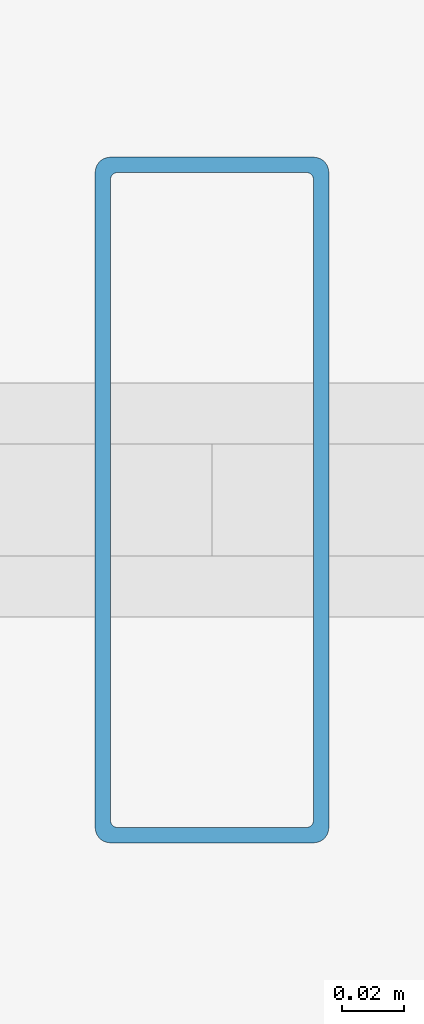
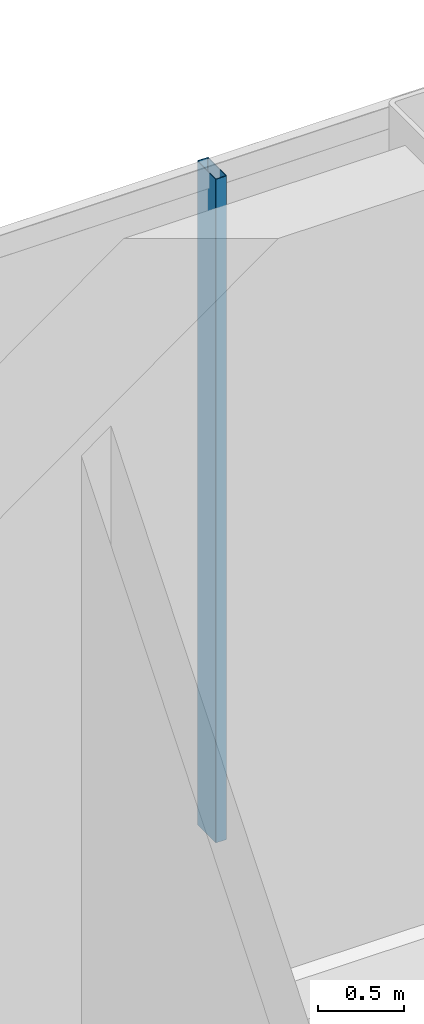
# One storey, part 9 of 18: 1 member, 1 element without a shape of its own.
"""IFC4 building model written with IfcOpenShell, lengths in metres."""

from ifc_helpers import new_model, si_unit, direction, frame, origin, origin_2d, place, context, subcontext, project, spatial, hollow_rectangle, extrude, material, material_profile, profile_set, type_object, element, aggregate, save


model = new_model("IFC4")

# Units and contexts
model_context = context("Model", 3, precision=1e-05, world=origin(), true_north=direction((0.0, 1.0)))
body_context = subcontext(model_context, "Body", "Model", "MODEL_VIEW")
ifc_project = project(units=[si_unit("LENGTHUNIT", "METRE"), si_unit("AREAUNIT", "SQUARE_METRE"), si_unit("VOLUMEUNIT", "CUBIC_METRE"), si_unit("PLANEANGLEUNIT", "RADIAN"), si_unit("MASSUNIT", "GRAM", prefix="KILO")], contexts=[model_context])

# Site, building, storey
site_placement = place(None, origin())
site = spatial("IfcSite", under=ifc_project, at=site_placement, CompositionType="ELEMENT")
building_placement = place(site_placement, origin())
building = spatial("IfcBuilding", under=site, at=building_placement, Name="Noeulbin Bourse Tower", CompositionType="ELEMENT")
storey_placement = place(building_placement, frame((0.0, 0.0, 200.699951171875)))
storey = spatial("IfcBuildingStorey", under=building, at=storey_placement, Name="L50", CompositionType="ELEMENT", Elevation=200.699951171875)

# Curtain wall, member
ifc_material_1 = material(Name="Translucent Ceramic-Fritted Glass", Category="glass")
curtain_wall_type = type_object("IfcCurtainWallType", Name="CW-SYS-5", PredefinedType="NOTDEFINED", material=ifc_material_1)
curtain_wall_placement = place(storey_placement, origin())
curtain_wall = element("IfcCurtainWall", 1, at=curtain_wall_placement, inside=storey, type_object=curtain_wall_type, Name="Unitised Curtain Wall CW-L50-N", PredefinedType="NOTDEFINED")
ifc_material_2 = material(Name="Anodised Aluminium 6063-T6", Category="aluminium")
ifc_material_profile = material_profile(ifc_material_2, hollow_rectangle(XDim=0.074951171875, YDim=0.219970703125, WallThickness=0.0048828125, InnerFilletRadius=0.00244140625, OuterFilletRadius=0.0048828125, at=origin_2d()), Name="ALU-MULL-75x220x5", Category="LoadBearing")
ifc_profile_set = profile_set([ifc_material_profile], Name="Anodised Aluminium 6063-T6")
member_type = type_object("IfcMemberType", Name="CW-SYS-5-MUL", PredefinedType="MULLION", material=ifc_profile_set)
member_placement = place(storey_placement, frame((29.8310546875, 39.530029296875, -0.02001953125), z_axis=(0.0, 0.0, 1.0), x_axis=(1.0, 0.0, 0.0)))
member = element("IfcMember", 2, at=member_placement, type_object=member_type, Name="Curtain Wall Mullion CW-L50-N-M04", PredefinedType="MULLION", context=body_context, shape_type="SweptSolid", body=[
    extrude(hollow_rectangle(XDim=0.074951171875, YDim=0.219970703125, WallThickness=0.0048828125, InnerFilletRadius=0.00244140625, OuterFilletRadius=0.0048828125, at=origin_2d()), origin(), (0.0, 0.0, 1.0), 4.719970703125),
])
aggregate(curtain_wall, [member])

save(model, "model.ifc")
